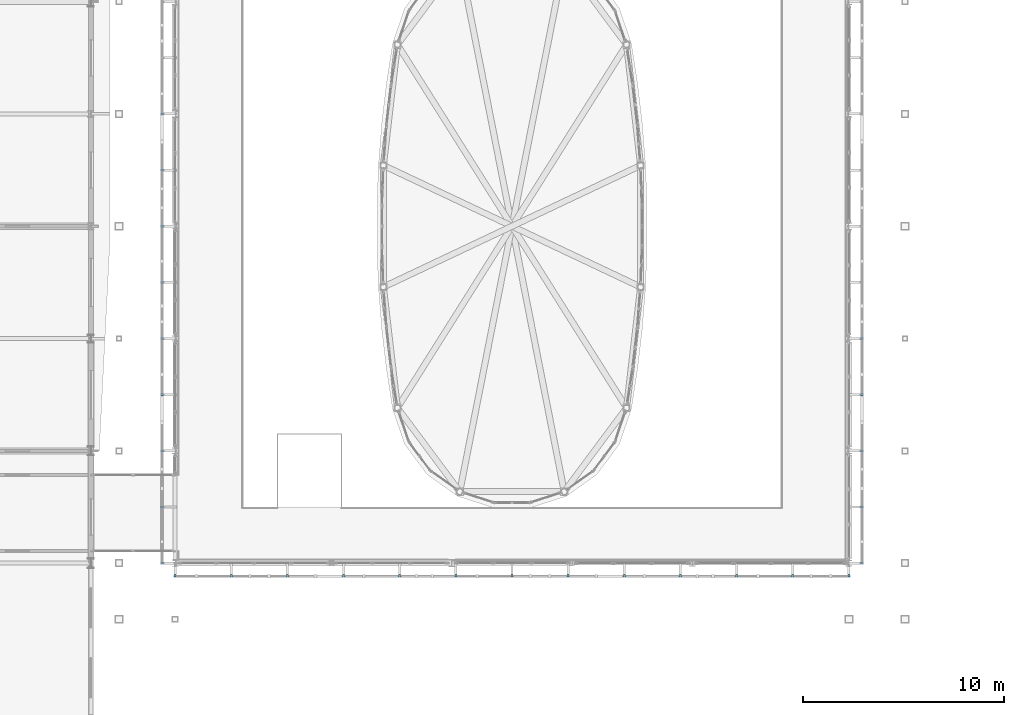
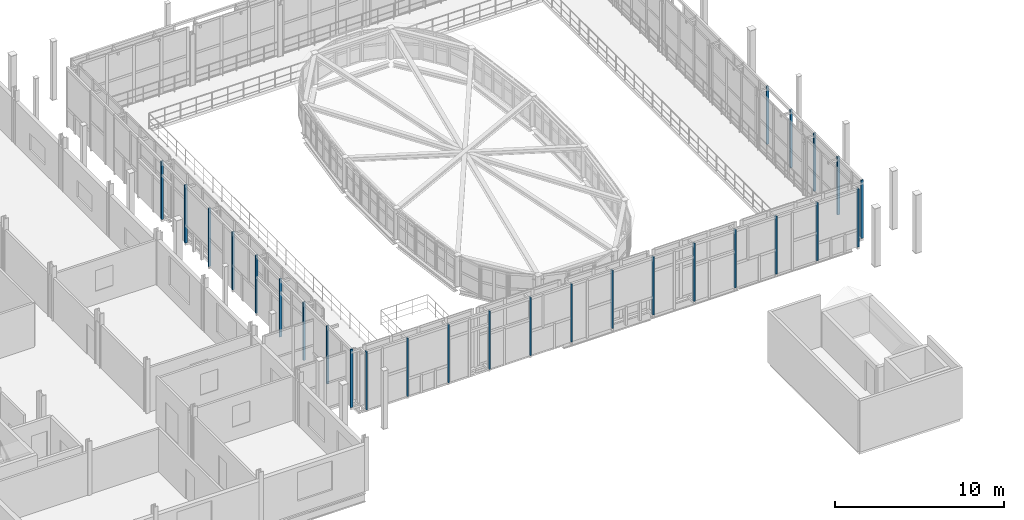
# One storey, part 70 of 78: 27 discrete accessories.
"""IFC4 building model written with IfcOpenShell, lengths in metres."""

from ifc_helpers import new_model, si_unit, direction, frame, origin, origin_2d, place, context, subcontext, project, spatial, rectangle, extrude, material, type_object, element, save


model = new_model("IFC4")

# Units and contexts
model_context = context("Model", 3, precision=1e-05, world=origin(), true_north=direction((0.0, 1.0)))
body_context = subcontext(model_context, "Body", "Model", "MODEL_VIEW")
ifc_project = project(units=[si_unit("LENGTHUNIT", "METRE"), si_unit("AREAUNIT", "SQUARE_METRE"), si_unit("VOLUMEUNIT", "CUBIC_METRE"), si_unit("PLANEANGLEUNIT", "RADIAN"), si_unit("MASSUNIT", "GRAM", prefix="KILO")], contexts=[model_context])

# Site, building, storey
site_placement = place(None, origin())
site = spatial("IfcSite", under=ifc_project, at=site_placement, CompositionType="ELEMENT")
building_placement = place(site_placement, origin())
building = spatial("IfcBuilding", under=site, at=building_placement, Name="Vinh Khe Railworks Police Headquarters", CompositionType="ELEMENT")
storey_placement = place(building_placement, frame((0.0, 0.0, 13.199951171875)))
storey = spatial("IfcBuildingStorey", under=building, at=storey_placement, Name="L03", CompositionType="ELEMENT", Elevation=13.199951171875)

# Discrete accessories
ifc_material = material(Name="Steel S355JR", Category="steel")
discrete_accessory_type = type_object("IfcDiscreteAccessoryType", Name="SCR-MULL-RHS150", PredefinedType="BRACKET", material=ifc_material)
for number, where, z_axis, x_axis, name in (
    (1, (26.39990234375, 24.550048828125, 0.0), (0.0, 0.0, 1.0), (1.0, 0.0, 0.0), "Patchwork Screen Vertical Support Channel S-1 L03"),
    (2, (29.199951171875, 24.550048828125, 0.0), (0.0, 0.0, 1.0), (1.0, 0.0, 0.0), "Patchwork Screen Vertical Support Channel S-2 L03"),
    (3, (32.0, 24.550048828125, 0.0), (0.0, 0.0, 1.0), (1.0, 0.0, 0.0), "Patchwork Screen Vertical Support Channel S-3 L03"),
    (4, (34.800048828125, 24.550048828125, 0.0), (0.0, 0.0, 1.0), (1.0, 0.0, 0.0), "Patchwork Screen Vertical Support Channel S-4 L03"),
    (5, (37.60009765625, 24.550048828125, 0.0), (0.0, 0.0, 1.0), (1.0, 0.0, 0.0), "Patchwork Screen Vertical Support Channel S-5 L03"),
    (6, (40.39990234375, 24.550048828125, 0.0), (0.0, 0.0, 1.0), (1.0, 0.0, 0.0), "Patchwork Screen Vertical Support Channel S-6 L03"),
    (7, (43.199951171875, 24.550048828125, 0.0), (0.0, 0.0, 1.0), (1.0, 0.0, 0.0), "Patchwork Screen Vertical Support Channel S-7 L03"),
    (8, (46.0, 24.550048828125, 0.0), (0.0, 0.0, 1.0), (1.0, 0.0, 0.0), "Patchwork Screen Vertical Support Channel S-8 L03"),
    (9, (48.800048828125, 24.550048828125, 0.0), (0.0, 0.0, 1.0), (1.0, 0.0, 0.0), "Patchwork Screen Vertical Support Channel S-9 L03"),
    (10, (51.60009765625, 24.550048828125, 0.0), (0.0, 0.0, 1.0), (1.0, 0.0, 0.0), "Patchwork Screen Vertical Support Channel S-10 L03"),
    (11, (54.39990234375, 24.550048828125, 0.0), (0.0, 0.0, 1.0), (1.0, 0.0, 0.0), "Patchwork Screen Vertical Support Channel S-11 L03"),
    (12, (57.199951171875, 24.550048828125, 0.0), (0.0, 0.0, 1.0), (1.0, 0.0, 0.0), "Patchwork Screen Vertical Support Channel S-12 L03"),
    (13, (60.0, 24.550048828125, 0.0), (0.0, 0.0, 1.0), (1.0, 0.0, 0.0), "Patchwork Screen Vertical Support Channel S-13 L03"),
):
    element("IfcDiscreteAccessory", number, at=place(storey_placement, frame(where, z_axis=z_axis, x_axis=x_axis)), inside=storey, type_object=discrete_accessory_type, Name=name, PredefinedType="BRACKET", context=body_context, shape_type="SweptSolid", body=[
        extrude(rectangle(XDim=0.10009765625, YDim=0.14990234375, at=origin_2d()), origin(), (0.0, 0.0, 1.0), 4.199951171875),
    ])
for number, where, z_axis, x_axis, name in (
    (14, (60.64990234375, 25.199951171875, 0.0), (0.0, 0.0, 1.0), (1.0, 0.0, 0.0), "Patchwork Screen Vertical Support Channel E-1 L03"),
    (15, (60.64990234375, 28.0, 0.0), (0.0, 0.0, 1.0), (1.0, 0.0, 0.0), "Patchwork Screen Vertical Support Channel E-2 L03"),
    (16, (60.64990234375, 30.800048828125, 0.0), (0.0, 0.0, 1.0), (1.0, 0.0, 0.0), "Patchwork Screen Vertical Support Channel E-3 L03"),
    (17, (60.64990234375, 33.60009765625, 0.0), (0.0, 0.0, 1.0), (1.0, 0.0, 0.0), "Patchwork Screen Vertical Support Channel E-4 L03"),
    (18, (60.64990234375, 36.39990234375, 0.0), (0.0, 0.0, 1.0), (1.0, 0.0, 0.0), "Patchwork Screen Vertical Support Channel E-5 L03"),
    (19, (25.75, 25.199951171875, 0.0), (0.0, 0.0, 1.0), (1.0, 0.0, 0.0), "Patchwork Screen Vertical Support Channel W-1 L03"),
    (20, (25.75, 28.0, 0.0), (0.0, 0.0, 1.0), (1.0, 0.0, 0.0), "Patchwork Screen Vertical Support Channel W-2 L03"),
    (21, (25.75, 30.800048828125, 0.0), (0.0, 0.0, 1.0), (1.0, 0.0, 0.0), "Patchwork Screen Vertical Support Channel W-3 L03"),
    (22, (25.75, 33.60009765625, 0.0), (0.0, 0.0, 1.0), (1.0, 0.0, 0.0), "Patchwork Screen Vertical Support Channel W-4 L03"),
    (23, (25.75, 36.39990234375, 0.0), (0.0, 0.0, 1.0), (1.0, 0.0, 0.0), "Patchwork Screen Vertical Support Channel W-5 L03"),
    (24, (25.75, 39.199951171875, 0.0), (0.0, 0.0, 1.0), (1.0, 0.0, 0.0), "Patchwork Screen Vertical Support Channel W-6 L03"),
    (25, (25.75, 42.0, 0.0), (0.0, 0.0, 1.0), (1.0, 0.0, 0.0), "Patchwork Screen Vertical Support Channel W-7 L03"),
    (26, (25.75, 44.800048828125, 0.0), (0.0, 0.0, 1.0), (1.0, 0.0, 0.0), "Patchwork Screen Vertical Support Channel W-8 L03"),
    (27, (25.75, 47.60009765625, 0.0), (0.0, 0.0, 1.0), (1.0, 0.0, 0.0), "Patchwork Screen Vertical Support Channel W-9 L03"),
):
    element("IfcDiscreteAccessory", number, at=place(storey_placement, frame(where, z_axis=z_axis, x_axis=x_axis)), inside=storey, type_object=discrete_accessory_type, Name=name, PredefinedType="BRACKET", context=body_context, shape_type="SweptSolid", body=[
        extrude(rectangle(XDim=0.14990234375, YDim=0.10009765625, at=origin_2d()), origin(), (0.0, 0.0, 1.0), 4.199951171875),
    ])

save(model, "model.ifc")
